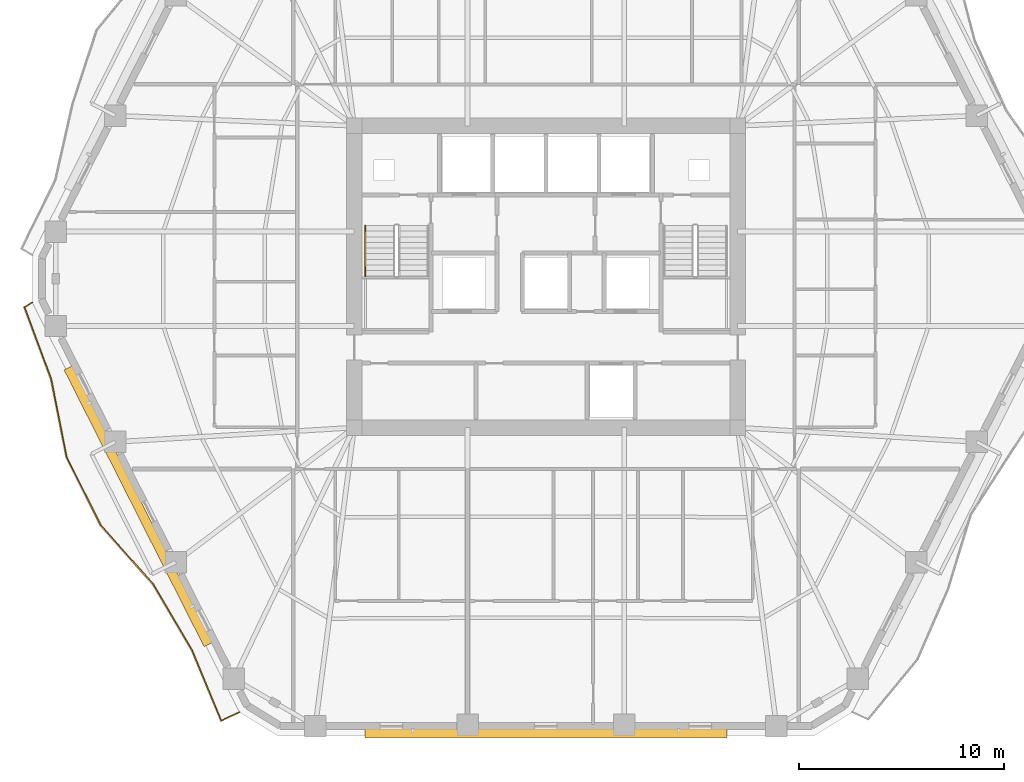
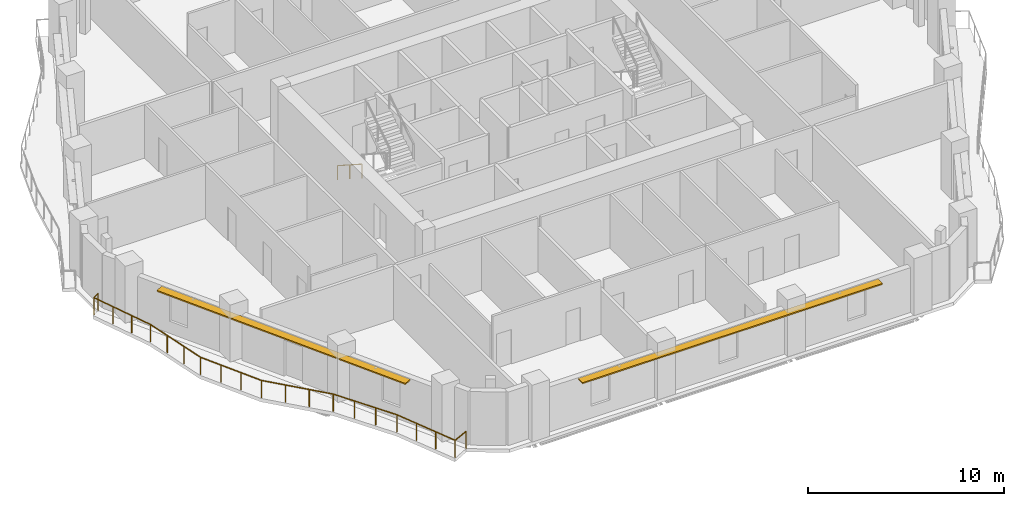
# One storey, part 10 of 12: 2 railings, 2 shading devices.
"""IFC4 building model written with IfcOpenShell, lengths in metres."""

from ifc_helpers import new_model, si_unit, direction, frame, origin, origin_2d, place, context, subcontext, project, spatial, rectangle, extrude, material, layer, layer_set, type_object, element, save


model = new_model("IFC4")

# Units and contexts
model_context = context("Model", 3, precision=1e-05, world=origin(), true_north=direction((0.0, 1.0)))
body_context = subcontext(model_context, "Body", "Model", "MODEL_VIEW")
ifc_project = project(units=[si_unit("LENGTHUNIT", "METRE"), si_unit("AREAUNIT", "SQUARE_METRE"), si_unit("VOLUMEUNIT", "CUBIC_METRE"), si_unit("PLANEANGLEUNIT", "RADIAN"), si_unit("MASSUNIT", "GRAM", prefix="KILO")], contexts=[model_context])

# Site, building, storey
site_placement = place(None, origin())
site = spatial("IfcSite", under=ifc_project, at=site_placement, CompositionType="ELEMENT")
building_placement = place(site_placement, origin())
building = spatial("IfcBuilding", under=site, at=building_placement, Name="Cinnabar Lancet Tower", CompositionType="ELEMENT")
storey_placement = place(building_placement, frame((0.0, 0.0, 126.800048828125)))
storey = spatial("IfcBuildingStorey", under=building, at=storey_placement, Name="L33", CompositionType="ELEMENT", Elevation=126.800048828125)

# Railing
ifc_material_1 = material(Name="Laminated safety glass and bronze stainless steel balustrade", Category="steel")
railing_type_1 = type_object("IfcRailingType", Name="ENV-RLG-BAL-1100", PredefinedType="BALUSTRADE", material=ifc_material_1)
railing_1_placement = place(storey_placement, frame((7.287109375, 24.639892578125, 0.0)))
element("IfcRailing", 1, at=railing_1_placement, inside=storey, type_object=railing_type_1, Name="L33 Face 6 Wave Balcony Balustrade", PredefinedType="BALUSTRADE", context=body_context, shape_type="SweptSolid", body=[
    extrude(rectangle(XDim=0.048095703125, YDim=0.048095703125, at=origin_2d()), frame((0.0, 0.0, 1.076171875), z_axis=(-0.86131573154, -0.508070084341, 0.0), x_axis=(0.508070084341, -0.86131573154, 0.0)), (0.0, 0.0, 1.0), 0.436767578125),
    extrude(rectangle(XDim=0.048095703125, YDim=0.048095703125, at=origin_2d()), frame((-0.376220703125, -0.221923828125, 1.076171875), z_axis=(0.348029844357, -0.937483454487, 0.0), x_axis=(0.937483454487, 0.348029844357, 0.0)), (0.0, 0.0, 1.0), 3.755859375),
    extrude(rectangle(XDim=0.048095703125, YDim=0.048095703125, at=origin_2d()), frame((0.930908203125, -3.742919921875, 1.076171875), z_axis=(0.194358488264, -0.98093056739, 0.0), x_axis=(0.98093056739, 0.194358488264, 0.0)), (0.0, 0.0, 1.0), 3.8740234375),
    extrude(rectangle(XDim=0.048095703125, YDim=0.048095703125, at=origin_2d()), frame((1.683837890625, -7.54296875, 1.076171875), z_axis=(0.446061422894, -0.895002350279, 0.0), x_axis=(0.895002350279, 0.446061422894, 0.0)), (0.0, 0.0, 1.0), 3.73046875),
    extrude(rectangle(XDim=0.048095703125, YDim=0.048095703125, at=origin_2d()), frame((3.347900390625, -10.8818359375, 1.076171875), z_axis=(0.664685785685, -0.747123019528, 0.0), x_axis=(0.747123019528, 0.664685785685, 0.0)), (0.0, 0.0, 1.0), 3.85888671875),
    extrude(rectangle(XDim=0.048095703125, YDim=0.048095703125, at=origin_2d()), frame((5.912841796875, -13.764892578125, 1.076171875), z_axis=(0.507476737953, -0.861665457377, 0.0), x_axis=(0.861665457377, 0.507476737953, 0.0)), (0.0, 0.0, 1.0), 3.738037109375),
    extrude(rectangle(XDim=0.048095703125, YDim=0.048095703125, at=origin_2d()), frame((7.809814453125, -16.98583984375, 1.076171875), z_axis=(0.38330000533, -0.923623898518, 0.0), x_axis=(0.923623898518, 0.38330000533, 0.0)), (0.0, 0.0, 1.0), 3.743896484375),
    extrude(rectangle(XDim=0.048095703125, YDim=0.048095703125, at=origin_2d()), frame((9.244873046875, -20.44384765625, 1.076171875), z_axis=(0.9064818534, 0.422244774339, 0.0), x_axis=(-0.422244774339, 0.9064818534, 0.0)), (0.0, 0.0, 1.0), 0.980712890625),
    extrude(rectangle(XDim=0.0419921875, YDim=0.0419921875, at=origin_2d()), origin(), (0.0, 0.0, 1.0), 1.052001953125),
    extrude(rectangle(XDim=0.0419921875, YDim=0.0419921875, at=origin_2d()), frame((-0.376220703125, -0.221923828125, 0.0)), (0.0, 0.0, 1.0), 1.052001953125),
    extrude(rectangle(XDim=0.0419921875, YDim=0.0419921875, at=origin_2d()), frame((0.0595703125, -1.3955078125, 0.0)), (0.0, 0.0, 1.0), 1.052001953125),
    extrude(rectangle(XDim=0.0419921875, YDim=0.0419921875, at=origin_2d()), frame((0.4951171875, -2.5693359375, 0.0)), (0.0, 0.0, 1.0), 1.052001953125),
    extrude(rectangle(XDim=0.0419921875, YDim=0.0419921875, at=origin_2d()), frame((0.930908203125, -3.742919921875, 0.0)), (0.0, 0.0, 1.0), 1.052001953125),
    extrude(rectangle(XDim=0.0419921875, YDim=0.0419921875, at=origin_2d()), frame((1.181884765625, -5.009521484375, 0.0)), (0.0, 0.0, 1.0), 1.052001953125),
    extrude(rectangle(XDim=0.0419921875, YDim=0.0419921875, at=origin_2d()), frame((1.432861328125, -6.2763671875, 0.0)), (0.0, 0.0, 1.0), 1.052001953125),
    extrude(rectangle(XDim=0.0419921875, YDim=0.0419921875, at=origin_2d()), frame((1.683837890625, -7.54296875, 0.0)), (0.0, 0.0, 1.0), 1.052001953125),
    extrude(rectangle(XDim=0.0419921875, YDim=0.0419921875, at=origin_2d()), frame((2.238525390625, -8.656005859375, 0.0)), (0.0, 0.0, 1.0), 1.052001953125),
    extrude(rectangle(XDim=0.0419921875, YDim=0.0419921875, at=origin_2d()), frame((2.793212890625, -9.768798828125, 0.0)), (0.0, 0.0, 1.0), 1.052001953125),
    extrude(rectangle(XDim=0.0419921875, YDim=0.0419921875, at=origin_2d()), frame((3.347900390625, -10.8818359375, 0.0)), (0.0, 0.0, 1.0), 1.052001953125),
    extrude(rectangle(XDim=0.0419921875, YDim=0.0419921875, at=origin_2d()), frame((4.202880859375, -11.8427734375, 0.0)), (0.0, 0.0, 1.0), 1.052001953125),
    extrude(rectangle(XDim=0.0419921875, YDim=0.0419921875, at=origin_2d()), frame((5.057861328125, -12.803955078125, 0.0)), (0.0, 0.0, 1.0), 1.052001953125),
    extrude(rectangle(XDim=0.0419921875, YDim=0.0419921875, at=origin_2d()), frame((5.912841796875, -13.764892578125, 0.0)), (0.0, 0.0, 1.0), 1.052001953125),
    extrude(rectangle(XDim=0.0419921875, YDim=0.0419921875, at=origin_2d()), frame((6.545166015625, -14.838623046875, 0.0)), (0.0, 0.0, 1.0), 1.052001953125),
    extrude(rectangle(XDim=0.0419921875, YDim=0.0419921875, at=origin_2d()), frame((7.177490234375, -15.912109375, 0.0)), (0.0, 0.0, 1.0), 1.052001953125),
    extrude(rectangle(XDim=0.0419921875, YDim=0.0419921875, at=origin_2d()), frame((7.809814453125, -16.98583984375, 0.0)), (0.0, 0.0, 1.0), 1.052001953125),
    extrude(rectangle(XDim=0.0419921875, YDim=0.0419921875, at=origin_2d()), frame((8.2880859375, -18.138427734375, 0.0)), (0.0, 0.0, 1.0), 1.052001953125),
    extrude(rectangle(XDim=0.0419921875, YDim=0.0419921875, at=origin_2d()), frame((8.7666015625, -19.291259765625, 0.0)), (0.0, 0.0, 1.0), 1.052001953125),
    extrude(rectangle(XDim=0.0419921875, YDim=0.0419921875, at=origin_2d()), frame((9.244873046875, -20.44384765625, 0.0)), (0.0, 0.0, 1.0), 1.052001953125),
    extrude(rectangle(XDim=0.0419921875, YDim=0.0419921875, at=origin_2d()), frame((10.1337890625, -20.02978515625, 0.0)), (0.0, 0.0, 1.0), 1.052001953125),
])

# Shading devices
ifc_material_2 = material(Name="Pale limestone architectural aluminium sunshade", Category="masonry")
ifc_layer = layer(ifc_material_2, 0.080078125)
ifc_layer_set = layer_set([ifc_layer], Name="Pale limestone architectural aluminium sunshade")
shading_device_type = type_object("IfcShadingDeviceType", Name="ENV-SHD-LVR-450", PredefinedType="JALOUSIE", material=ifc_layer_set)
shading_device_1_placement = place(storey_placement, frame((32.39990234375, 3.580078125, 2.639892578125), z_axis=(0.0, 0.0, 1.0), x_axis=(1.0, 0.0, 0.0)))
element("IfcShadingDevice", 2, at=shading_device_1_placement, inside=storey, type_object=shading_device_type, Name="L33 Face 1 Horizontal Sunshade Canopy", PredefinedType="JALOUSIE", context=body_context, shape_type="SweptSolid", body=[
    extrude(rectangle(XDim=17.68310546875, YDim=0.449951171875, at=origin_2d()), origin(), (0.0, 0.0, 1.0), 0.080078125),
])
shading_device_2_placement = place(storey_placement, frame((12.471923828125, 14.680908203125, 2.639892578125), z_axis=(0.0, 0.0, 1.0), x_axis=(0.451453853408, -0.892294468347, 0.0)))
element("IfcShadingDevice", 3, at=shading_device_2_placement, inside=storey, type_object=shading_device_type, Name="L33 Face 6 Horizontal Sunshade Canopy", PredefinedType="JALOUSIE", context=body_context, shape_type="SweptSolid", body=[
    extrude(rectangle(XDim=15.156982421875, YDim=0.449951171875, at=origin_2d()), origin(), (0.0, 0.0, 1.0), 0.080078125),
])

# Railing
ifc_material_3 = material(Name="Brushed stainless steel handrail", Category="steel")
railing_type_2 = type_object("IfcRailingType", Name="HANDRAIL-STAIR", PredefinedType="HANDRAIL", material=ifc_material_3)
railing_2_placement = place(storey_placement, frame((23.574951171875, 28.39990234375, 0.177490234375)))
element("IfcRailing", 4, at=railing_2_placement, inside=storey, type_object=railing_type_2, Name="L33 ST-1 stair handrail 1", PredefinedType="HANDRAIL", context=body_context, shape_type="SweptSolid", body=[
    extrude(rectangle(XDim=0.048095703125, YDim=0.048095703125, at=origin_2d()), frame((0.0, 0.0, 0.8759765625), z_axis=(0.0, -0.840183358697, 0.542302428327), x_axis=(1.0, 0.0, 0.0)), (0.0, 0.0, 1.0), 2.945556640625),
    extrude(rectangle(XDim=0.0419921875, YDim=0.0419921875, at=origin_2d()), origin(), (0.0, 0.0, 1.0), 0.851806640625),
    extrude(rectangle(XDim=0.0419921875, YDim=0.0419921875, at=origin_2d()), frame((0.0, -1.2373046875, 0.798828125)), (0.0, 0.0, 1.0), 0.851806640625),
    extrude(rectangle(XDim=0.0419921875, YDim=0.0419921875, at=origin_2d()), frame((0.0, -2.474853515625, 1.597412109375)), (0.0, 0.0, 1.0), 0.851806640625),
])

save(model, "model.ifc")
